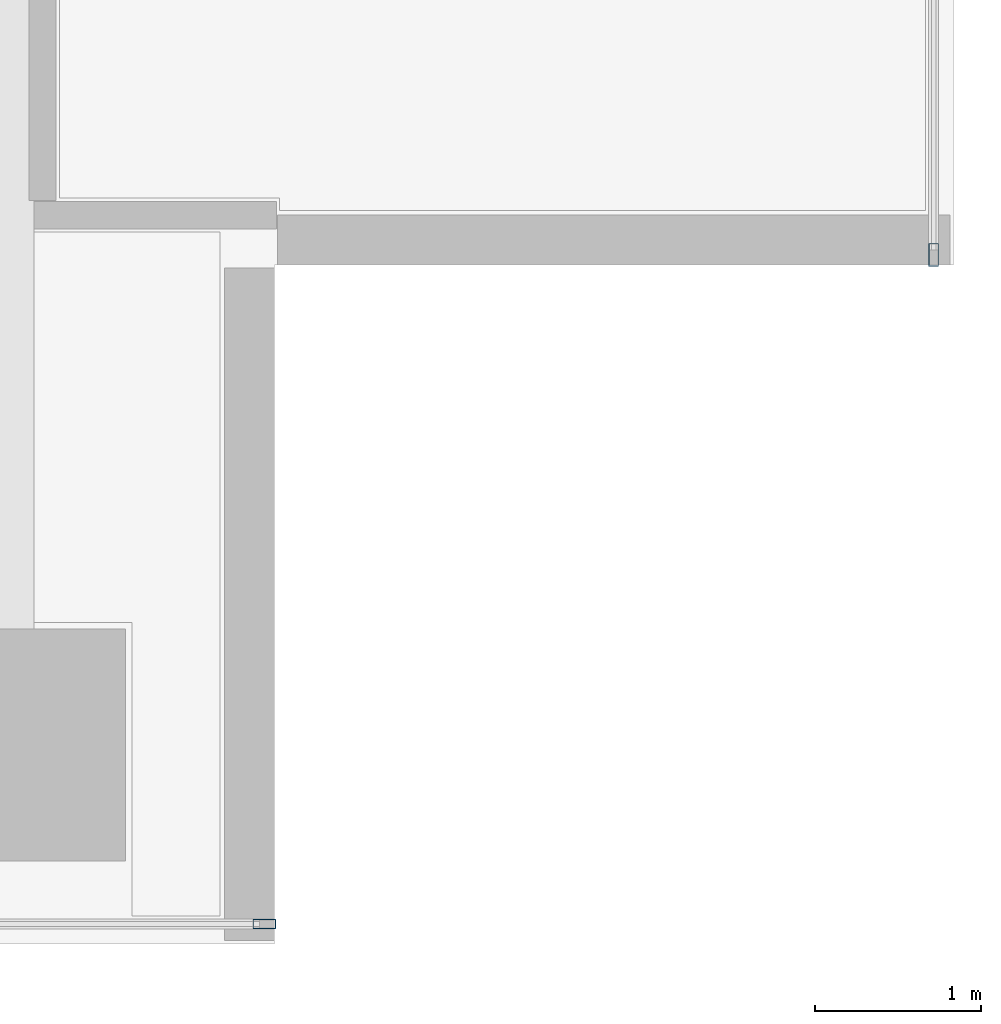
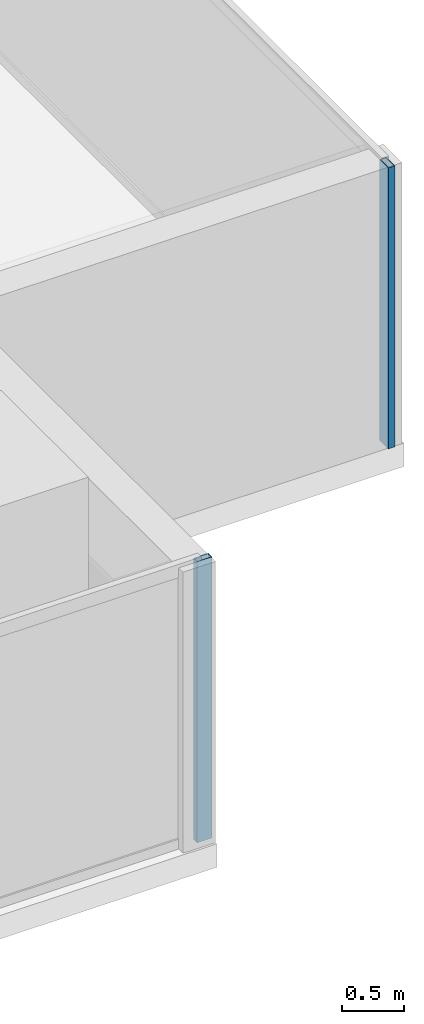
# One storey, part 11 of 26: 2 members, 2 elements without a shape of their own.
"""IFC4 building model written with IfcOpenShell, lengths in metres."""

from ifc_helpers import new_model, si_unit, direction, frame, origin, origin_2d, place, context, subcontext, project, spatial, hollow_rectangle, extrude, source, transform, mapped, material, layer, layer_set, material_profile, profile_set, type_object, element, aggregate, save


model = new_model("IFC4")

# Units and contexts
model_context = context("Model", 3, precision=1e-05, world=origin(), true_north=direction((0.0, 1.0)))
body_context = subcontext(model_context, "Body", "Model", "MODEL_VIEW")
ifc_project = project(units=[si_unit("LENGTHUNIT", "METRE"), si_unit("AREAUNIT", "SQUARE_METRE"), si_unit("VOLUMEUNIT", "CUBIC_METRE"), si_unit("PLANEANGLEUNIT", "RADIAN"), si_unit("MASSUNIT", "GRAM", prefix="KILO")], contexts=[model_context])

# Site, building, storey
site_placement = place(None, origin())
site = spatial("IfcSite", under=ifc_project, at=site_placement, CompositionType="ELEMENT")
building_placement = place(site_placement, origin())
building = spatial("IfcBuilding", under=site, at=building_placement, Name="Sumidabori Civic Tower", CompositionType="ELEMENT")
storey_placement = place(building_placement, frame((0.0, 0.0, 261.199951171875)))
storey = spatial("IfcBuildingStorey", under=building, at=storey_placement, Name="L68", CompositionType="ELEMENT", Elevation=261.199951171875)

# Curtain wall, member
ifc_material = material(Name="Anodised Bronze Aluminium AW-6063-T6", Category="aluminium")
ifc_layer = layer(ifc_material, 0.179931640625, Name="Anodised Bronze Aluminium AW-6063-T6")
ifc_layer_set = layer_set([ifc_layer], Name="Anodised Bronze Aluminium AW-6063-T6")
curtain_wall_type = type_object("IfcCurtainWallType", Name="CW-SYS-5", PredefinedType="NOTDEFINED", material=ifc_layer_set)
curtain_wall_1_placement = place(storey_placement, origin())
curtain_wall_1 = element("IfcCurtainWall", 1, at=curtain_wall_1_placement, inside=storey, type_object=curtain_wall_type, Name="Curtain Wall CW:L68:R01", PredefinedType="NOTDEFINED")
ifc_material_profile = material_profile(ifc_material, hollow_rectangle(XDim=0.06005859375, YDim=0.139892578125, WallThickness=0.0048828125, at=origin_2d()), Name="ALU MULLION 140x60")
ifc_profile_set = profile_set([ifc_material_profile], Name="Anodised Bronze Aluminium AW-6063-T6")
member_type = type_object("IfcMemberType", Name="CW-MUL-140", PredefinedType="MULLION", material=ifc_profile_set)
shared_shape = source(origin(), body_context, "Body", "SweptSolid", [
    extrude(hollow_rectangle(XDim=0.06005859375, YDim=0.139892578125, WallThickness=0.0048828125, at=origin_2d()), origin(), (0.0, 0.0, 1.0), 2.75),
])
member_1_placement = place(storey_placement, frame((18.340087890625, -11.8798828125, 0.0), z_axis=(0.0, 0.0, 1.0), x_axis=(0.0, 1.0, 0.0)))
member_1 = element("IfcMember", 2, at=member_1_placement, type_object=member_type, Name="CW-5 mullion 5", PredefinedType="MULLION", context=body_context, shape_type="MappedRepresentation", body=[
    mapped(shared_shape, transform((0.0, 0.0, 0.0), x_axis=(1.0, 0.0, 0.0), y_axis=(0.0, 1.0, 0.0), z_axis=(0.0, 0.0, 1.0), scale=1.0)),
])
aggregate(curtain_wall_1, [member_1])

curtain_wall_2_placement = place(storey_placement, origin())
curtain_wall_2 = element("IfcCurtainWall", 3, at=curtain_wall_2_placement, inside=storey, type_object=curtain_wall_type, Name="Curtain Wall CW:L68:R04", PredefinedType="NOTDEFINED")
member_2_placement = place(storey_placement, frame((22.3798828125, -7.840087890625, 0.0), z_axis=(0.0, 0.0, 1.0), x_axis=(-1.0, 0.0, 0.0)))
member_2 = element("IfcMember", 4, at=member_2_placement, type_object=member_type, Name="CW-5 mullion 1", PredefinedType="MULLION", context=body_context, shape_type="MappedRepresentation", body=[
    mapped(shared_shape, transform((0.0, 0.0, 0.0), x_axis=(1.0, 0.0, 0.0), y_axis=(0.0, 1.0, 0.0), z_axis=(0.0, 0.0, 1.0), scale=1.0)),
])
aggregate(curtain_wall_2, [member_2])

save(model, "model.ifc")
